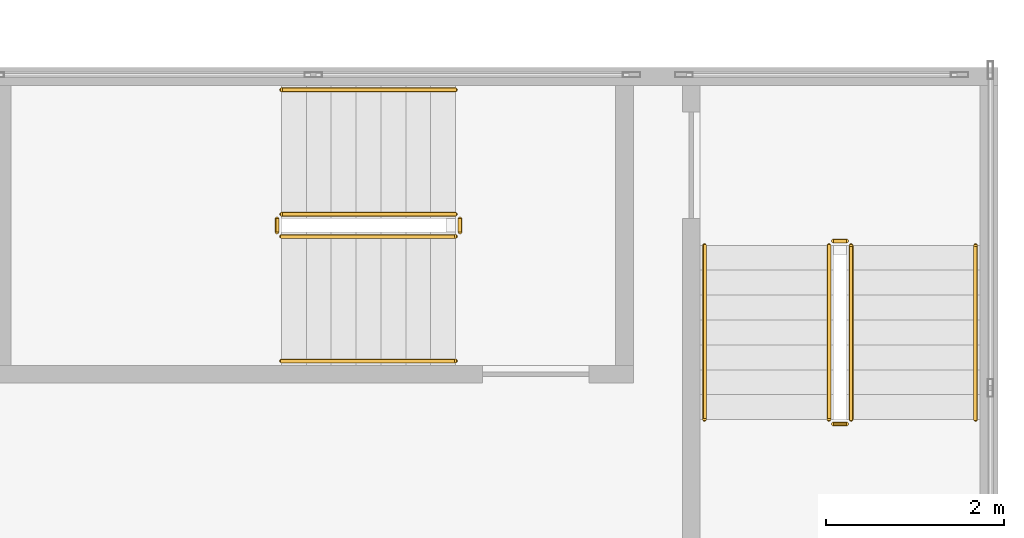
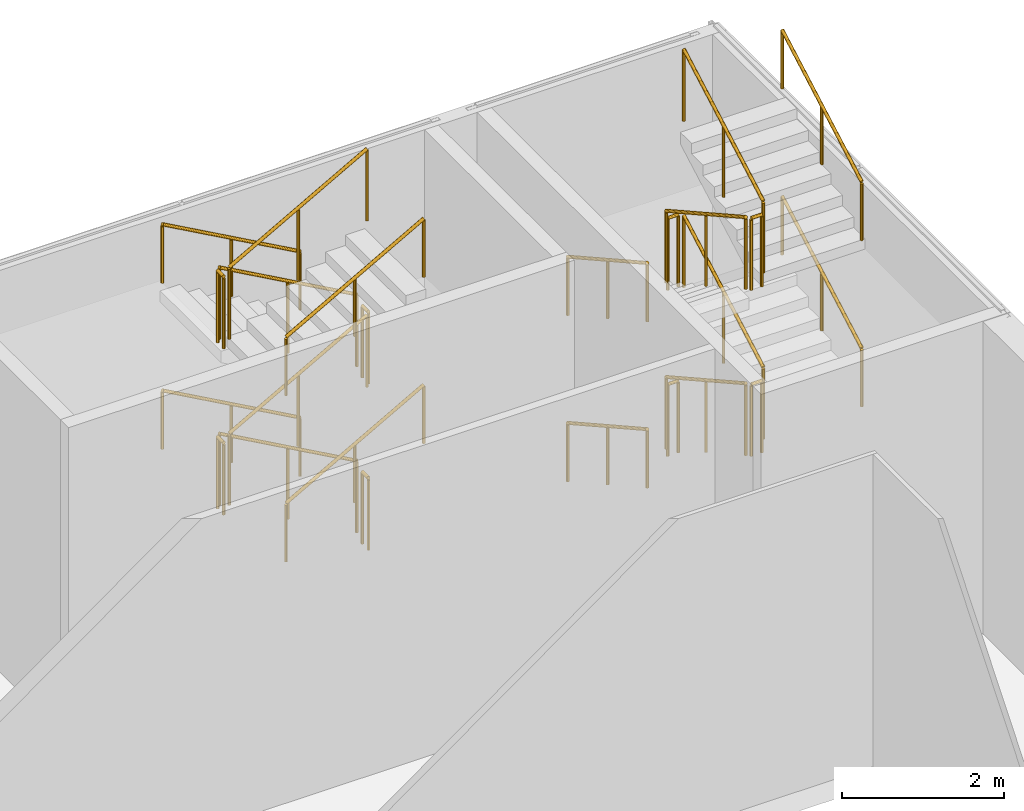
# One storey, part 22 of 22: 24 railings.
"""IFC4 building model written with IfcOpenShell, lengths in metres."""

from ifc_helpers import new_model, si_unit, direction, frame, origin, origin_2d, place, context, subcontext, project, spatial, circle, extrude, source, transform, mapped, material, type_object, element, save


model = new_model("IFC4")

# Units and contexts
model_context = context("Model", 3, precision=1e-05, world=origin(), true_north=direction((0.0, 1.0)))
body_context = subcontext(model_context, "Body", "Model", "MODEL_VIEW")
ifc_project = project(units=[si_unit("LENGTHUNIT", "METRE"), si_unit("AREAUNIT", "SQUARE_METRE"), si_unit("VOLUMEUNIT", "CUBIC_METRE"), si_unit("PLANEANGLEUNIT", "RADIAN"), si_unit("MASSUNIT", "GRAM", prefix="KILO")], contexts=[model_context])

# Site, building, storey
site_placement = place(None, origin())
site = spatial("IfcSite", under=ifc_project, at=site_placement, CompositionType="ELEMENT")
building_placement = place(site_placement, origin())
building = spatial("IfcBuilding", under=site, at=building_placement, Name="Khomas Fold Tower", CompositionType="ELEMENT")
storey_placement = place(building_placement, frame((0.0, 0.0, 23.5)))
storey = spatial("IfcBuildingStorey", under=building, at=storey_placement, Name="L04", CompositionType="ELEMENT", Elevation=23.5)

# Railings
ifc_material_1 = material(Name="Steel balustrade", Category="steel")
railing_type_1 = type_object("IfcRailingType", Name="Stair guard", PredefinedType="GUARDRAIL", material=ifc_material_1)
shared_shape_1 = source(origin(), body_context, "Body", "SweptSolid", [
    extrude(circle(Radius=0.02392578125, at=origin_2d()), frame((0.0, 0.0, 1.076171875), z_axis=(0.873232148454, 0.0, 0.487304437602), x_axis=(0.0, 1.0, 0.0)), (0.0, 0.0, 1.0), 2.244384765625),
    extrude(circle(Radius=0.02099609375, at=origin_2d()), origin(), (0.0, 0.0, 1.0), 1.052001953125),
    extrude(circle(Radius=0.02099609375, at=origin_2d()), frame((0.97998046875, 0.0, 0.546875)), (0.0, 0.0, 1.0), 1.052001953125),
    extrude(circle(Radius=0.02099609375, at=origin_2d()), frame((1.9599609375, 0.0, 1.09375)), (0.0, 0.0, 1.0), 1.052001953125),
])
for number, where, name in (
    (1, (72.93994140625, 52.10009765625, 1.40625), "L04 PS5 stair guard 3"),
    (2, (72.93994140625, 52.10009765625, 3.90625), "L04 PS5 stair guard 7"),
):
    element("IfcRailing", number, at=place(storey_placement, frame(where)), inside=storey, type_object=railing_type_1, Name=name, PredefinedType="GUARDRAIL", context=body_context, shape_type="MappedRepresentation", body=[
        mapped(shared_shape_1, transform((0.0, 0.0, 0.0))),
    ])
shared_shape_2 = source(origin(), body_context, "Body", "SweptSolid", [
    extrude(circle(Radius=0.02392578125, at=origin_2d()), frame((0.0, 0.0, 1.076171875), z_axis=(-0.873232148454, 0.0, 0.487304437602), x_axis=(0.0, -1.0, 0.0)), (0.0, 0.0, 1.0), 2.244384765625),
    extrude(circle(Radius=0.02099609375, at=origin_2d()), origin(), (0.0, 0.0, 1.0), 1.052001953125),
    extrude(circle(Radius=0.02099609375, at=origin_2d()), frame((-0.97998046875, 0.0, 0.546875)), (0.0, 0.0, 1.0), 1.052001953125),
    extrude(circle(Radius=0.02099609375, at=origin_2d()), frame((-1.9599609375, 0.0, 1.09375)), (0.0, 0.0, 1.0), 1.052001953125),
])
for number, where, name in (
    (3, (74.89990234375, 52.35009765625, 0.15625), "L04 PS5 stair guard 1"),
    (4, (74.89990234375, 52.35009765625, 2.65625), "L04 PS5 stair guard 5"),
):
    element("IfcRailing", number, at=place(storey_placement, frame(where)), inside=storey, type_object=railing_type_1, Name=name, PredefinedType="GUARDRAIL", context=body_context, shape_type="MappedRepresentation", body=[
        mapped(shared_shape_2, transform((0.0, 0.0, 0.0))),
    ])
ifc_material_2 = material(Name="Steel handrail", Category="steel")
railing_type_2 = type_object("IfcRailingType", Name="Stair handrail", PredefinedType="HANDRAIL", material=ifc_material_2)
shared_shape_3 = source(origin(), body_context, "Body", "SweptSolid", [
    extrude(circle(Radius=0.02392578125, at=origin_2d()), frame((0.0, 0.0, 0.8759765625), z_axis=(0.873232148454, 0.0, 0.487304437602), x_axis=(0.0, 1.0, 0.0)), (0.0, 0.0, 1.0), 2.244384765625),
    extrude(circle(Radius=0.02099609375, at=origin_2d()), origin(), (0.0, 0.0, 1.0), 0.851806640625),
    extrude(circle(Radius=0.02099609375, at=origin_2d()), frame((0.97998046875, 0.0, 0.546875)), (0.0, 0.0, 1.0), 0.851806640625),
    extrude(circle(Radius=0.02099609375, at=origin_2d()), frame((1.9599609375, 0.0, 1.09375)), (0.0, 0.0, 1.0), 0.851806640625),
])
for number, where, name in (
    (5, (72.93994140625, 50.699951171875, 1.40625), "L04 PS5 stair handrail 2"),
    (6, (72.93994140625, 50.699951171875, 3.90625), "L04 PS5 stair handrail 4"),
):
    element("IfcRailing", number, at=place(storey_placement, frame(where)), inside=storey, type_object=railing_type_2, Name=name, PredefinedType="HANDRAIL", context=body_context, shape_type="MappedRepresentation", body=[
        mapped(shared_shape_3, transform((0.0, 0.0, 0.0))),
    ])
shared_shape_4 = source(origin(), body_context, "Body", "SweptSolid", [
    extrude(circle(Radius=0.02392578125, at=origin_2d()), frame((0.0, 0.0, 0.8759765625), z_axis=(-0.873232148454, 0.0, 0.487304437602), x_axis=(0.0, -1.0, 0.0)), (0.0, 0.0, 1.0), 2.244384765625),
    extrude(circle(Radius=0.02099609375, at=origin_2d()), origin(), (0.0, 0.0, 1.0), 0.851806640625),
    extrude(circle(Radius=0.02099609375, at=origin_2d()), frame((-0.97998046875, 0.0, 0.546875)), (0.0, 0.0, 1.0), 0.851806640625),
    extrude(circle(Radius=0.02099609375, at=origin_2d()), frame((-1.9599609375, 0.0, 1.09375)), (0.0, 0.0, 1.0), 0.851806640625),
])
for number, where, name in (
    (7, (74.89990234375, 53.75, 0.15625), "L04 PS5 stair handrail 1"),
    (8, (74.89990234375, 53.75, 2.65625), "L04 PS5 stair handrail 3"),
):
    element("IfcRailing", number, at=place(storey_placement, frame(where)), inside=storey, type_object=railing_type_2, Name=name, PredefinedType="HANDRAIL", context=body_context, shape_type="MappedRepresentation", body=[
        mapped(shared_shape_4, transform((0.0, 0.0, 0.0))),
    ])
shared_shape_5 = source(origin(), body_context, "Body", "SweptSolid", [
    extrude(circle(Radius=0.02392578125, at=origin_2d()), frame((0.0, 0.0, 1.076171875), z_axis=(0.0, 0.873232148454, 0.487304437602), x_axis=(-1.0, 0.0, 0.0)), (0.0, 0.0, 1.0), 2.244384765625),
    extrude(circle(Radius=0.02099609375, at=origin_2d()), origin(), (0.0, 0.0, 1.0), 1.052001953125),
    extrude(circle(Radius=0.02099609375, at=origin_2d()), frame((0.0, 0.97998046875, 0.546875)), (0.0, 0.0, 1.0), 1.052001953125),
    extrude(circle(Radius=0.02099609375, at=origin_2d()), frame((0.0, 1.9599609375, 1.09375)), (0.0, 0.0, 1.0), 1.052001953125),
])
for number, where, name in (
    (9, (79.35009765625, 50.0400390625, 1.40625), "L04 PS6 stair guard 3"),
    (10, (79.35009765625, 50.0400390625, 3.90625), "L04 PS6 stair guard 7"),
):
    element("IfcRailing", number, at=place(storey_placement, frame(where)), inside=storey, type_object=railing_type_1, Name=name, PredefinedType="GUARDRAIL", context=body_context, shape_type="MappedRepresentation", body=[
        mapped(shared_shape_5, transform((0.0, 0.0, 0.0))),
    ])
shared_shape_6 = source(origin(), body_context, "Body", "SweptSolid", [
    extrude(circle(Radius=0.02392578125, at=origin_2d()), frame((0.0, 0.0, 1.076171875), z_axis=(0.0, -0.873232148454, 0.487304437602), x_axis=(1.0, 0.0, 0.0)), (0.0, 0.0, 1.0), 2.244384765625),
    extrude(circle(Radius=0.02099609375, at=origin_2d()), origin(), (0.0, 0.0, 1.0), 1.052001953125),
    extrude(circle(Radius=0.02099609375, at=origin_2d()), frame((0.0, -0.97998046875, 0.546875)), (0.0, 0.0, 1.0), 1.052001953125),
    extrude(circle(Radius=0.02099609375, at=origin_2d()), frame((0.0, -1.9599609375, 1.09375)), (0.0, 0.0, 1.0), 1.052001953125),
])
for number, where, name in (
    (11, (79.10009765625, 52.0, 0.15625), "L04 PS6 stair guard 1"),
    (12, (79.10009765625, 52.0, 2.65625), "L04 PS6 stair guard 5"),
):
    element("IfcRailing", number, at=place(storey_placement, frame(where)), inside=storey, type_object=railing_type_1, Name=name, PredefinedType="GUARDRAIL", context=body_context, shape_type="MappedRepresentation", body=[
        mapped(shared_shape_6, transform((0.0, 0.0, 0.0))),
    ])
shared_shape_7 = source(origin(), body_context, "Body", "SweptSolid", [
    extrude(circle(Radius=0.02392578125, at=origin_2d()), frame((0.0, 0.0, 0.8759765625), z_axis=(0.0, 0.873232148454, 0.487304437602), x_axis=(-1.0, 0.0, 0.0)), (0.0, 0.0, 1.0), 2.244384765625),
    extrude(circle(Radius=0.02099609375, at=origin_2d()), origin(), (0.0, 0.0, 1.0), 0.851806640625),
    extrude(circle(Radius=0.02099609375, at=origin_2d()), frame((0.0, 0.97998046875, 0.546875)), (0.0, 0.0, 1.0), 0.851806640625),
    extrude(circle(Radius=0.02099609375, at=origin_2d()), frame((0.0, 1.9599609375, 1.09375)), (0.0, 0.0, 1.0), 0.851806640625),
])
for number, where, name in (
    (13, (80.75, 50.0400390625, 1.40625), "L04 PS6 stair handrail 2"),
    (14, (80.75, 50.0400390625, 3.90625), "L04 PS6 stair handrail 4"),
):
    element("IfcRailing", number, at=place(storey_placement, frame(where)), inside=storey, type_object=railing_type_2, Name=name, PredefinedType="HANDRAIL", context=body_context, shape_type="MappedRepresentation", body=[
        mapped(shared_shape_7, transform((0.0, 0.0, 0.0))),
    ])
shared_shape_8 = source(origin(), body_context, "Body", "SweptSolid", [
    extrude(circle(Radius=0.02392578125, at=origin_2d()), frame((0.0, 0.0, 0.8759765625), z_axis=(0.0, -0.873232148454, 0.487304437602), x_axis=(1.0, 0.0, 0.0)), (0.0, 0.0, 1.0), 2.244384765625),
    extrude(circle(Radius=0.02099609375, at=origin_2d()), origin(), (0.0, 0.0, 1.0), 0.851806640625),
    extrude(circle(Radius=0.02099609375, at=origin_2d()), frame((0.0, -0.97998046875, 0.546875)), (0.0, 0.0, 1.0), 0.851806640625),
    extrude(circle(Radius=0.02099609375, at=origin_2d()), frame((0.0, -1.9599609375, 1.09375)), (0.0, 0.0, 1.0), 0.851806640625),
])
for number, where, name in (
    (15, (77.699951171875, 52.0, 0.15625), "L04 PS6 stair handrail 1"),
    (16, (77.699951171875, 52.0, 2.65625), "L04 PS6 stair handrail 3"),
):
    element("IfcRailing", number, at=place(storey_placement, frame(where)), inside=storey, type_object=railing_type_2, Name=name, PredefinedType="HANDRAIL", context=body_context, shape_type="MappedRepresentation", body=[
        mapped(shared_shape_8, transform((0.0, 0.0, 0.0))),
    ])
shared_shape_9 = source(origin(), body_context, "Body", "SweptSolid", [
    extrude(circle(Radius=0.02392578125, at=origin_2d()), frame((0.0, 0.0, 1.076171875), z_axis=(0.0, -1.0, 0.0), x_axis=(1.0, 0.0, 0.0)), (0.0, 0.0, 1.0), 0.150146484375),
    extrude(circle(Radius=0.02099609375, at=origin_2d()), origin(), (0.0, 0.0, 1.0), 1.052001953125),
    extrude(circle(Radius=0.02099609375, at=origin_2d()), frame((0.0, -0.150146484375, 0.0)), (0.0, 0.0, 1.0), 1.052001953125),
])
for number, where, name in (
    (17, (72.889892578125, 52.300048828125, 1.25), "L04 PS5 stair guard 2"),
    (18, (74.949951171875, 52.300048828125, 2.5), "L04 PS5 stair guard 4"),
    (19, (72.889892578125, 52.300048828125, 3.75), "L04 PS5 stair guard 6"),
    (20, (74.949951171875, 52.300048828125, 0.0), "L04 PS5 stair guard 8"),
):
    element("IfcRailing", number, at=place(storey_placement, frame(where)), inside=storey, type_object=railing_type_1, Name=name, PredefinedType="GUARDRAIL", context=body_context, shape_type="MappedRepresentation", body=[
        mapped(shared_shape_9, transform((0.0, 0.0, 0.0))),
    ])
shared_shape_10 = source(origin(), body_context, "Body", "SweptSolid", [
    extrude(circle(Radius=0.02392578125, at=origin_2d()), frame((0.0, 0.0, 1.076171875), z_axis=(1.0, 0.0, 0.0), x_axis=(0.0, 1.0, 0.0)), (0.0, 0.0, 1.0), 0.150146484375),
    extrude(circle(Radius=0.02099609375, at=origin_2d()), origin(), (0.0, 0.0, 1.0), 1.052001953125),
    extrude(circle(Radius=0.02099609375, at=origin_2d()), frame((0.150146484375, 0.0, 0.0)), (0.0, 0.0, 1.0), 1.052001953125),
])
for number, where, name in (
    (21, (79.14990234375, 49.989990234375, 1.25), "L04 PS6 stair guard 2"),
    (22, (79.14990234375, 52.050048828125, 2.5), "L04 PS6 stair guard 4"),
    (23, (79.14990234375, 49.989990234375, 3.75), "L04 PS6 stair guard 6"),
    (24, (79.14990234375, 52.050048828125, 0.0), "L04 PS6 stair guard 8"),
):
    element("IfcRailing", number, at=place(storey_placement, frame(where)), inside=storey, type_object=railing_type_1, Name=name, PredefinedType="GUARDRAIL", context=body_context, shape_type="MappedRepresentation", body=[
        mapped(shared_shape_10, transform((0.0, 0.0, 0.0))),
    ])

save(model, "model.ifc")
